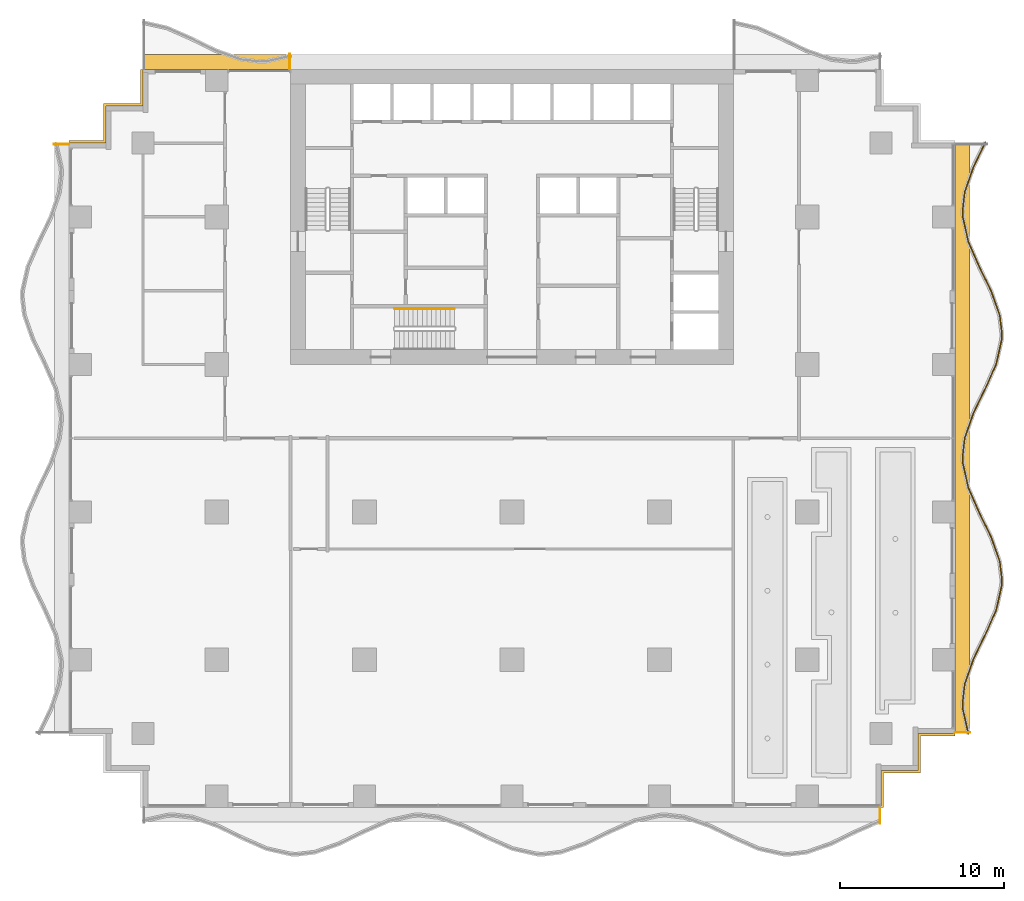
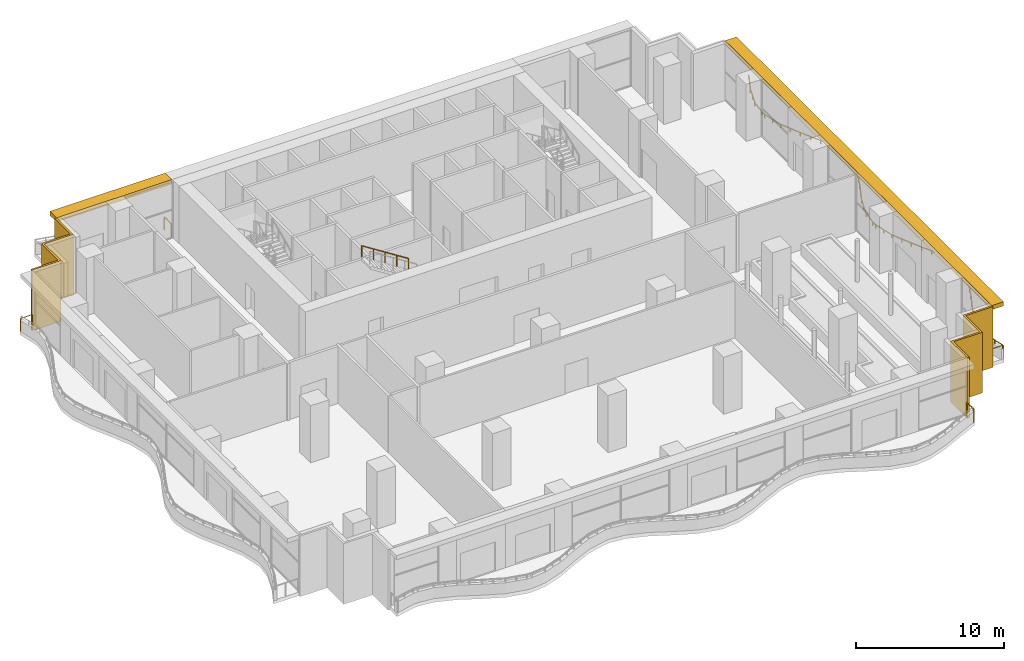
# One storey, part 14 of 18: 6 railings, 4 shading devices.
"""IFC4 building model written with IfcOpenShell, lengths in metres."""

from ifc_helpers import new_model, si_unit, direction, frame, origin, origin_2d, place, context, subcontext, project, spatial, polyline, rectangle, circle, outline, extrude, material, layer, layer_set, type_object, element, save


model = new_model("IFC4")

# Units and contexts
model_context = context("Model", 3, precision=1e-05, world=origin(), true_north=direction((0.0, 1.0)))
body_context = subcontext(model_context, "Body", "Model", "MODEL_VIEW")
ifc_project = project(units=[si_unit("LENGTHUNIT", "METRE"), si_unit("AREAUNIT", "SQUARE_METRE"), si_unit("VOLUMEUNIT", "CUBIC_METRE"), si_unit("PLANEANGLEUNIT", "RADIAN"), si_unit("MASSUNIT", "GRAM", prefix="KILO")], contexts=[model_context])

# Site, building, storey
site_placement = place(None, origin())
site = spatial("IfcSite", under=ifc_project, at=site_placement, CompositionType="ELEMENT")
building_placement = place(site_placement, origin())
building = spatial("IfcBuilding", under=site, at=building_placement, Name="Orbiselva Terraces", CompositionType="ELEMENT")
storey_placement = place(building_placement, frame((0.0, 0.0, 64.4)))
storey = spatial("IfcBuildingStorey", under=building, at=storey_placement, Name="L16", CompositionType="ELEMENT", Elevation=64.4)

# Railings
ifc_material_1 = material(Name="Stainless steel", Category="steel")
railing_type_1 = type_object("IfcRailingType", Name="CORE-HANDRAIL-900", PredefinedType="HANDRAIL", material=ifc_material_1)
railing_1_placement = place(storey_placement, frame((-3.51, 7.9, 2.678571)))
element("IfcRailing", 1, at=railing_1_placement, inside=storey, type_object=railing_type_1, Name="L16 S3 stair handrail 2", PredefinedType="HANDRAIL", context=body_context, shape_type="SweptSolid", body=[
    extrude(circle(Radius=0.024, at=origin_2d()), frame((0.0, 0.0, 0.876), z_axis=(-0.843129645223, 0.0, 0.537710332192), x_axis=(0.0, -1.0, 0.0)), (0.0, 0.0, 1.0), 4.317248),
    extrude(circle(Radius=0.021, at=origin_2d()), origin(), (0.0, 0.0, 1.0), 0.852),
    extrude(circle(Radius=0.021, at=origin_2d()), frame((-0.91, 0.0, 0.580357)), (0.0, 0.0, 1.0), 0.852),
    extrude(circle(Radius=0.021, at=origin_2d()), frame((-1.82, 0.0, 1.160715)), (0.0, 0.0, 1.0), 0.852),
    extrude(circle(Radius=0.021, at=origin_2d()), frame((-2.73, 0.0, 1.741072)), (0.0, 0.0, 1.0), 0.852),
    extrude(circle(Radius=0.021, at=origin_2d()), frame((-3.64, 0.0, 2.321429)), (0.0, 0.0, 1.0), 0.852),
])
ifc_material_2 = material(Name="Bonded two-ply safety glass balustrade, stainless steel posts", Category="steel")
railing_type_2 = type_object("IfcRailingType", Name="ENV-BALUSTRADE-1200", PredefinedType="BALUSTRADE", material=ifc_material_2)
railing_2_placement = place(storey_placement, frame((27.829507, -18.027377, 0.9)))
element("IfcRailing", 2, at=railing_2_placement, inside=storey, type_object=railing_type_2, Name="Balcony balustrade L16 E", PredefinedType="BALUSTRADE", context=body_context, shape_type="SweptSolid", body=[
    extrude(outline(polyline([(0.028868, 0.0), (0.014434, 0.025), (-0.014434, 0.025), (-0.028868, 0.0), (-0.014434, -0.025), (0.014434, -0.025), (0.028868, 0.0)])), frame((0.0, 0.0, 0.275), z_axis=(-0.219015484484, 0.97572138316, 0.0), x_axis=(-0.97572138316, -0.219015484484, 0.0)), (0.0, 0.0, 1.0), 1.548694),
    extrude(outline(polyline([(0.028868, 0.0), (0.014434, 0.025), (-0.014434, 0.025), (-0.028868, 0.0), (-0.014434, -0.025), (0.014434, -0.025), (0.028868, 0.0)])), frame((-0.339188, 1.511094, 0.275), z_axis=(-0.03936915532, 0.999224734286, 0.0), x_axis=(-0.999224734286, -0.03936915532, 0.0)), (0.0, 0.0, 1.0), 0.396376),
    extrude(outline(polyline([(0.028868, 0.0), (0.014434, 0.025), (-0.014434, 0.025), (-0.028868, 0.0), (-0.014434, -0.025), (0.014434, -0.025), (0.028868, 0.0)])), frame((-0.354793, 1.907163, 0.275), z_axis=(0.115482182324, 0.993309551734, 0.0), x_axis=(-0.993309551734, 0.115482182324, 0.0)), (0.0, 0.0, 1.0), 1.156135),
    extrude(outline(polyline([(0.028868, 0.0), (0.014434, 0.025), (-0.014434, 0.025), (-0.028868, 0.0), (-0.014434, -0.025), (0.014434, -0.025), (0.028868, 0.0)])), frame((-0.22128, 3.055563, 0.275), z_axis=(0.330024597479, 0.943972332783, 0.0), x_axis=(-0.943972332783, 0.330024597479, 0.0)), (0.0, 0.0, 1.0), 1.610253),
    extrude(outline(polyline([(0.028868, 0.0), (0.014434, 0.025), (-0.014434, 0.025), (-0.028868, 0.0), (-0.014434, -0.025), (0.014434, -0.025), (0.028868, 0.0)])), frame((0.310143, 4.575597, 0.275), z_axis=(0.438812048596, 0.898578870221, 0.0), x_axis=(-0.898578870221, 0.438812048596, 0.0)), (0.0, 0.0, 1.0), 1.674225),
    extrude(outline(polyline([(0.028868, 0.0), (0.014434, 0.025), (-0.014434, 0.025), (-0.028868, 0.0), (-0.014434, -0.025), (0.014434, -0.025), (0.028868, 0.0)])), frame((1.044813, 6.08002, 0.275), z_axis=(0.403151245402, 0.915133363686, 0.0), x_axis=(-0.915133363686, 0.403151245402, 0.0)), (0.0, 0.0, 1.0), 1.624475),
    extrude(outline(polyline([(0.028868, 0.0), (0.014434, 0.025), (-0.014434, 0.025), (-0.028868, 0.0), (-0.014434, -0.025), (0.014434, -0.025), (0.028868, 0.0)])), frame((1.699722, 7.566631, 0.275), z_axis=(0.219015740235, 0.975721325753, 0.0), x_axis=(-0.975721325753, 0.219015740235, 0.0)), (0.0, 0.0, 1.0), 1.513782),
    extrude(outline(polyline([(0.028868, 0.0), (0.014434, 0.025), (-0.014434, 0.025), (-0.028868, 0.0), (-0.014434, -0.025), (0.014434, -0.025), (0.028868, 0.0)])), frame((2.031264, 9.04366, 0.275), z_axis=(0.039364150694, 0.999224931454, 0.0), x_axis=(-0.999224931454, 0.039364150694, 0.0)), (0.0, 0.0, 1.0), 0.354206),
    extrude(outline(polyline([(0.028868, 0.0), (0.014434, 0.025), (-0.014434, 0.025), (-0.028868, 0.0), (-0.014434, -0.025), (0.014434, -0.025), (0.028868, 0.0)])), frame((2.045207, 9.397591, 0.275), z_axis=(-0.115481264762, 0.993309658409, 0.0), x_axis=(-0.993309658409, -0.115481264762, 0.0)), (0.0, 0.0, 1.0), 1.10902),
    extrude(outline(polyline([(0.028868, 0.0), (0.014434, 0.025), (-0.014434, 0.025), (-0.028868, 0.0), (-0.014434, -0.025), (0.014434, -0.025), (0.028868, 0.0)])), frame((1.917136, 10.499191, 0.275), z_axis=(-0.330024754707, 0.943972277814, 0.0), x_axis=(-0.943972277814, -0.330024754707, 0.0)), (0.0, 0.0, 1.0), 1.567807),
    extrude(outline(polyline([(0.028868, 0.0), (0.014434, 0.025), (-0.014434, 0.025), (-0.028868, 0.0), (-0.014434, -0.025), (0.014434, -0.025), (0.028868, 0.0)])), frame((1.399721, 11.979157, 0.275), z_axis=(-0.438811978768, 0.89857890432, 0.0), x_axis=(-0.89857890432, -0.438811978768, 0.0)), (0.0, 0.0, 1.0), 1.66438),
    extrude(outline(polyline([(0.028868, 0.0), (0.014434, 0.025), (-0.014434, 0.025), (-0.028868, 0.0), (-0.014434, -0.025), (0.014434, -0.025), (0.028868, 0.0)])), frame((0.669371, 13.474734, 0.275), z_axis=(-0.403150874148, 0.915133527237, 0.0), x_axis=(-0.915133527237, -0.403150874148, 0.0)), (0.0, 0.0, 1.0), 1.653736),
    extrude(outline(polyline([(0.028868, 0.0), (0.014434, 0.025), (-0.014434, 0.025), (-0.028868, 0.0), (-0.014434, -0.025), (0.014434, -0.025), (0.028868, 0.0)])), frame((0.002666, 14.988123, 0.275), z_axis=(-0.219015500924, 0.97572137947, 0.0), x_axis=(-0.97572137947, -0.219015500924, 0.0)), (0.0, 0.0, 1.0), 1.560867),
    extrude(outline(polyline([(0.028868, 0.0), (0.014434, 0.025), (-0.014434, 0.025), (-0.028868, 0.0), (-0.014434, -0.025), (0.014434, -0.025), (0.028868, 0.0)])), frame((-0.339188, 16.511094, 0.275), z_axis=(-0.03936915532, 0.999224734286, 0.0), x_axis=(-0.999224734286, -0.03936915532, 0.0)), (0.0, 0.0, 1.0), 0.396376),
    extrude(outline(polyline([(0.028868, 0.0), (0.014434, 0.025), (-0.014434, 0.025), (-0.028868, 0.0), (-0.014434, -0.025), (0.014434, -0.025), (0.028868, 0.0)])), frame((-0.354793, 16.907163, 0.275), z_axis=(0.115482182324, 0.993309551734, 0.0), x_axis=(-0.993309551734, 0.115482182324, 0.0)), (0.0, 0.0, 1.0), 1.156135),
    extrude(outline(polyline([(0.028868, 0.0), (0.014434, 0.025), (-0.014434, 0.025), (-0.028868, 0.0), (-0.014434, -0.025), (0.014434, -0.025), (0.028868, 0.0)])), frame((-0.22128, 18.055563, 0.275), z_axis=(0.330024597479, 0.943972332783, 0.0), x_axis=(-0.943972332783, 0.330024597479, 0.0)), (0.0, 0.0, 1.0), 1.610253),
    extrude(outline(polyline([(0.028868, 0.0), (0.014434, 0.025), (-0.014434, 0.025), (-0.028868, 0.0), (-0.014434, -0.025), (0.014434, -0.025), (0.028868, 0.0)])), frame((0.310143, 19.575597, 0.275), z_axis=(0.438812048596, 0.898578870221, 0.0), x_axis=(-0.898578870221, 0.438812048596, 0.0)), (0.0, 0.0, 1.0), 1.674225),
    extrude(outline(polyline([(0.028868, 0.0), (0.014434, 0.025), (-0.014434, 0.025), (-0.028868, 0.0), (-0.014434, -0.025), (0.014434, -0.025), (0.028868, 0.0)])), frame((1.044813, 21.08002, 0.275), z_axis=(0.403151245402, 0.915133363686, 0.0), x_axis=(-0.915133363686, 0.403151245402, 0.0)), (0.0, 0.0, 1.0), 1.624475),
    extrude(outline(polyline([(0.028868, 0.0), (0.014434, 0.025), (-0.014434, 0.025), (-0.028868, 0.0), (-0.014434, -0.025), (0.014434, -0.025), (0.028868, 0.0)])), frame((1.699722, 22.566631, 0.275), z_axis=(0.219015740235, 0.975721325753, 0.0), x_axis=(-0.975721325753, 0.219015740235, 0.0)), (0.0, 0.0, 1.0), 1.513782),
    extrude(outline(polyline([(0.028868, 0.0), (0.014434, 0.025), (-0.014434, 0.025), (-0.028868, 0.0), (-0.014434, -0.025), (0.014434, -0.025), (0.028868, 0.0)])), frame((2.031264, 24.04366, 0.275), z_axis=(0.039364150694, 0.999224931454, 0.0), x_axis=(-0.999224931454, 0.039364150694, 0.0)), (0.0, 0.0, 1.0), 0.354206),
    extrude(outline(polyline([(0.028868, 0.0), (0.014434, 0.025), (-0.014434, 0.025), (-0.028868, 0.0), (-0.014434, -0.025), (0.014434, -0.025), (0.028868, 0.0)])), frame((2.045207, 24.397591, 0.275), z_axis=(-0.115481264762, 0.993309658409, 0.0), x_axis=(-0.993309658409, -0.115481264762, 0.0)), (0.0, 0.0, 1.0), 1.10902),
    extrude(outline(polyline([(0.028868, 0.0), (0.014434, 0.025), (-0.014434, 0.025), (-0.028868, 0.0), (-0.014434, -0.025), (0.014434, -0.025), (0.028868, 0.0)])), frame((1.917136, 25.499191, 0.275), z_axis=(-0.330024754707, 0.943972277814, 0.0), x_axis=(-0.943972277814, -0.330024754707, 0.0)), (0.0, 0.0, 1.0), 1.567807),
    extrude(outline(polyline([(0.028868, 0.0), (0.014434, 0.025), (-0.014434, 0.025), (-0.028868, 0.0), (-0.014434, -0.025), (0.014434, -0.025), (0.028868, 0.0)])), frame((1.399721, 26.979157, 0.275), z_axis=(-0.438811978768, 0.89857890432, 0.0), x_axis=(-0.89857890432, -0.438811978768, 0.0)), (0.0, 0.0, 1.0), 1.66438),
    extrude(outline(polyline([(0.028868, 0.0), (0.014434, 0.025), (-0.014434, 0.025), (-0.028868, 0.0), (-0.014434, -0.025), (0.014434, -0.025), (0.028868, 0.0)])), frame((0.669371, 28.474734, 0.275), z_axis=(-0.403150874148, 0.915133527237, 0.0), x_axis=(-0.915133527237, -0.403150874148, 0.0)), (0.0, 0.0, 1.0), 1.653736),
    extrude(outline(polyline([(0.028868, 0.0), (0.014434, 0.025), (-0.014434, 0.025), (-0.028868, 0.0), (-0.014434, -0.025), (0.014434, -0.025), (0.028868, 0.0)])), frame((0.002666, 29.988123, 0.275), z_axis=(-0.219015500924, 0.97572137947, 0.0), x_axis=(-0.97572137947, -0.219015500924, 0.0)), (0.0, 0.0, 1.0), 1.560867),
    extrude(outline(polyline([(0.028868, 0.0), (0.014434, 0.025), (-0.014434, 0.025), (-0.028868, 0.0), (-0.014434, -0.025), (0.014434, -0.025), (0.028868, 0.0)])), frame((-0.339188, 31.511094, 0.275), z_axis=(-0.03936915532, 0.999224734286, 0.0), x_axis=(-0.999224734286, -0.03936915532, 0.0)), (0.0, 0.0, 1.0), 0.396376),
    extrude(outline(polyline([(0.028868, 0.0), (0.014434, 0.025), (-0.014434, 0.025), (-0.028868, 0.0), (-0.014434, -0.025), (0.014434, -0.025), (0.028868, 0.0)])), frame((-0.354793, 31.907163, 0.275), z_axis=(0.115482182324, 0.993309551734, 0.0), x_axis=(-0.993309551734, 0.115482182324, 0.0)), (0.0, 0.0, 1.0), 1.156135),
    extrude(outline(polyline([(0.028868, 0.0), (0.014434, 0.025), (-0.014434, 0.025), (-0.028868, 0.0), (-0.014434, -0.025), (0.014434, -0.025), (0.028868, 0.0)])), frame((-0.22128, 33.055563, 0.275), z_axis=(0.330024597479, 0.943972332783, 0.0), x_axis=(-0.943972332783, 0.330024597479, 0.0)), (0.0, 0.0, 1.0), 1.610253),
    extrude(outline(polyline([(0.028868, 0.0), (0.014434, 0.025), (-0.014434, 0.025), (-0.028868, 0.0), (-0.014434, -0.025), (0.014434, -0.025), (0.028868, 0.0)])), frame((0.310143, 34.575597, 0.275), z_axis=(0.43881217228, 0.898578809821, 0.0), x_axis=(-0.898578809821, 0.43881217228, 0.0)), (0.0, 0.0, 1.0), 1.676683),
    extrude(rectangle(XDim=0.05, YDim=0.05, at=origin_2d()), origin(), (0.0, 0.0, 1.0), 0.25),
    extrude(rectangle(XDim=0.05, YDim=0.05, at=origin_2d()), frame((-0.169594, 0.755547, 0.0)), (0.0, 0.0, 1.0), 0.25),
    extrude(rectangle(XDim=0.05, YDim=0.05, at=origin_2d()), frame((-0.339188, 1.511094, 0.0)), (0.0, 0.0, 1.0), 0.25),
    extrude(rectangle(XDim=0.05, YDim=0.05, at=origin_2d()), frame((-0.354793, 1.907163, 0.0)), (0.0, 0.0, 1.0), 0.25),
    extrude(rectangle(XDim=0.05, YDim=0.05, at=origin_2d()), frame((-0.22128, 3.055563, 0.0)), (0.0, 0.0, 1.0), 0.25),
    extrude(rectangle(XDim=0.05, YDim=0.05, at=origin_2d()), frame((0.044431, 3.81558, 0.0)), (0.0, 0.0, 1.0), 0.25),
    extrude(rectangle(XDim=0.05, YDim=0.05, at=origin_2d()), frame((0.310143, 4.575597, 0.0)), (0.0, 0.0, 1.0), 0.25),
    extrude(rectangle(XDim=0.05, YDim=0.05, at=origin_2d()), frame((0.677478, 5.327809, 0.0)), (0.0, 0.0, 1.0), 0.25),
    extrude(rectangle(XDim=0.05, YDim=0.05, at=origin_2d()), frame((1.044813, 6.08002, 0.0)), (0.0, 0.0, 1.0), 0.25),
    extrude(rectangle(XDim=0.05, YDim=0.05, at=origin_2d()), frame((1.372268, 6.823326, 0.0)), (0.0, 0.0, 1.0), 0.25),
    extrude(rectangle(XDim=0.05, YDim=0.05, at=origin_2d()), frame((1.699722, 7.566631, 0.0)), (0.0, 0.0, 1.0), 0.25),
    extrude(rectangle(XDim=0.05, YDim=0.05, at=origin_2d()), frame((1.865493, 8.305146, 0.0)), (0.0, 0.0, 1.0), 0.25),
    extrude(rectangle(XDim=0.05, YDim=0.05, at=origin_2d()), frame((2.031264, 9.04366, 0.0)), (0.0, 0.0, 1.0), 0.25),
    extrude(rectangle(XDim=0.05, YDim=0.05, at=origin_2d()), frame((2.045207, 9.397591, 0.0)), (0.0, 0.0, 1.0), 0.25),
    extrude(rectangle(XDim=0.05, YDim=0.05, at=origin_2d()), frame((1.917136, 10.499191, 0.0)), (0.0, 0.0, 1.0), 0.25),
    extrude(rectangle(XDim=0.05, YDim=0.05, at=origin_2d()), frame((1.658428, 11.239174, 0.0)), (0.0, 0.0, 1.0), 0.25),
    extrude(rectangle(XDim=0.05, YDim=0.05, at=origin_2d()), frame((1.399721, 11.979157, 0.0)), (0.0, 0.0, 1.0), 0.25),
    extrude(rectangle(XDim=0.05, YDim=0.05, at=origin_2d()), frame((1.034546, 12.726946, 0.0)), (0.0, 0.0, 1.0), 0.25),
    extrude(rectangle(XDim=0.05, YDim=0.05, at=origin_2d()), frame((0.669371, 13.474734, 0.0)), (0.0, 0.0, 1.0), 0.25),
    extrude(rectangle(XDim=0.05, YDim=0.05, at=origin_2d()), frame((0.336019, 14.231429, 0.0)), (0.0, 0.0, 1.0), 0.25),
    extrude(rectangle(XDim=0.05, YDim=0.05, at=origin_2d()), frame((0.002666, 14.988123, 0.0)), (0.0, 0.0, 1.0), 0.25),
    extrude(rectangle(XDim=0.05, YDim=0.05, at=origin_2d()), frame((-0.168261, 15.749608, 0.0)), (0.0, 0.0, 1.0), 0.25),
    extrude(rectangle(XDim=0.05, YDim=0.05, at=origin_2d()), frame((-0.339188, 16.511094, 0.0)), (0.0, 0.0, 1.0), 0.25),
    extrude(rectangle(XDim=0.05, YDim=0.05, at=origin_2d()), frame((-0.354793, 16.907163, 0.0)), (0.0, 0.0, 1.0), 0.25),
    extrude(rectangle(XDim=0.05, YDim=0.05, at=origin_2d()), frame((-0.22128, 18.055563, 0.0)), (0.0, 0.0, 1.0), 0.25),
    extrude(rectangle(XDim=0.05, YDim=0.05, at=origin_2d()), frame((0.044431, 18.81558, 0.0)), (0.0, 0.0, 1.0), 0.25),
    extrude(rectangle(XDim=0.05, YDim=0.05, at=origin_2d()), frame((0.310143, 19.575597, 0.0)), (0.0, 0.0, 1.0), 0.25),
    extrude(rectangle(XDim=0.05, YDim=0.05, at=origin_2d()), frame((0.677478, 20.327809, 0.0)), (0.0, 0.0, 1.0), 0.25),
    extrude(rectangle(XDim=0.05, YDim=0.05, at=origin_2d()), frame((1.044813, 21.08002, 0.0)), (0.0, 0.0, 1.0), 0.25),
    extrude(rectangle(XDim=0.05, YDim=0.05, at=origin_2d()), frame((1.372268, 21.823326, 0.0)), (0.0, 0.0, 1.0), 0.25),
    extrude(rectangle(XDim=0.05, YDim=0.05, at=origin_2d()), frame((1.699722, 22.566631, 0.0)), (0.0, 0.0, 1.0), 0.25),
    extrude(rectangle(XDim=0.05, YDim=0.05, at=origin_2d()), frame((1.865493, 23.305146, 0.0)), (0.0, 0.0, 1.0), 0.25),
    extrude(rectangle(XDim=0.05, YDim=0.05, at=origin_2d()), frame((2.031264, 24.04366, 0.0)), (0.0, 0.0, 1.0), 0.25),
    extrude(rectangle(XDim=0.05, YDim=0.05, at=origin_2d()), frame((2.045207, 24.397591, 0.0)), (0.0, 0.0, 1.0), 0.25),
    extrude(rectangle(XDim=0.05, YDim=0.05, at=origin_2d()), frame((1.917136, 25.499191, 0.0)), (0.0, 0.0, 1.0), 0.25),
    extrude(rectangle(XDim=0.05, YDim=0.05, at=origin_2d()), frame((1.658428, 26.239174, 0.0)), (0.0, 0.0, 1.0), 0.25),
    extrude(rectangle(XDim=0.05, YDim=0.05, at=origin_2d()), frame((1.399721, 26.979157, 0.0)), (0.0, 0.0, 1.0), 0.25),
    extrude(rectangle(XDim=0.05, YDim=0.05, at=origin_2d()), frame((1.034546, 27.726946, 0.0)), (0.0, 0.0, 1.0), 0.25),
    extrude(rectangle(XDim=0.05, YDim=0.05, at=origin_2d()), frame((0.669371, 28.474734, 0.0)), (0.0, 0.0, 1.0), 0.25),
    extrude(rectangle(XDim=0.05, YDim=0.05, at=origin_2d()), frame((0.336019, 29.231428, 0.0)), (0.0, 0.0, 1.0), 0.25),
    extrude(rectangle(XDim=0.05, YDim=0.05, at=origin_2d()), frame((0.002666, 29.988123, 0.0)), (0.0, 0.0, 1.0), 0.25),
    extrude(rectangle(XDim=0.05, YDim=0.05, at=origin_2d()), frame((-0.168261, 30.749608, 0.0)), (0.0, 0.0, 1.0), 0.25),
    extrude(rectangle(XDim=0.05, YDim=0.05, at=origin_2d()), frame((-0.339188, 31.511094, 0.0)), (0.0, 0.0, 1.0), 0.25),
    extrude(rectangle(XDim=0.05, YDim=0.05, at=origin_2d()), frame((-0.354793, 31.907163, 0.0)), (0.0, 0.0, 1.0), 0.25),
    extrude(rectangle(XDim=0.05, YDim=0.05, at=origin_2d()), frame((-0.22128, 33.055563, 0.0)), (0.0, 0.0, 1.0), 0.25),
    extrude(rectangle(XDim=0.05, YDim=0.05, at=origin_2d()), frame((0.044431, 33.81558, 0.0)), (0.0, 0.0, 1.0), 0.25),
    extrude(rectangle(XDim=0.05, YDim=0.05, at=origin_2d()), frame((0.310143, 34.575597, 0.0)), (0.0, 0.0, 1.0), 0.25),
    extrude(rectangle(XDim=0.05, YDim=0.05, at=origin_2d()), frame((0.678018, 35.328913, 0.0)), (0.0, 0.0, 1.0), 0.25),
    extrude(rectangle(XDim=0.05, YDim=0.05, at=origin_2d()), frame((1.045892, 36.082229, 0.0)), (0.0, 0.0, 1.0), 0.25),
])
ifc_material_3 = material(Name="Stainless steel rail and posts", Category="steel")
railing_type_3 = type_object("IfcRailingType", Name="ENV-GUARD-1105", PredefinedType="BALUSTRADE", material=ifc_material_3)
railing_3_placement = place(storey_placement, frame((22.44, -23.473063, 0.0)))
element("IfcRailing", 3, at=railing_3_placement, inside=storey, type_object=railing_type_3, Name="Balcony end guard L16 S", PredefinedType="BALUSTRADE", context=body_context, shape_type="SweptSolid", body=[
    extrude(outline(polyline([(0.028868, 0.0), (0.014434, 0.025), (-0.014434, 0.025), (-0.028868, 0.0), (-0.014434, -0.025), (0.014434, -0.025), (0.028868, 0.0)])), frame((0.0, 0.0, 1.08), z_axis=(0.0, 1.0, 0.0), x_axis=(-1.0, 0.0, 0.0)), (0.0, 0.0, 1.0), 0.948063),
    extrude(rectangle(XDim=0.05, YDim=0.05, at=origin_2d()), origin(), (0.0, 0.0, 1.0), 1.055),
    extrude(rectangle(XDim=0.05, YDim=0.05, at=origin_2d()), frame((0.0, 0.948063, 0.0)), (0.0, 0.0, 1.0), 1.055),
])
railing_4_placement = place(storey_placement, frame((27.930416, -17.94, 0.0)))
element("IfcRailing", 4, at=railing_4_placement, inside=storey, type_object=railing_type_3, Name="Balcony end guard L16 E", PredefinedType="BALUSTRADE", context=body_context, shape_type="SweptSolid", body=[
    extrude(outline(polyline([(0.028868, 0.0), (0.014434, 0.025), (-0.014434, 0.025), (-0.028868, 0.0), (-0.014434, -0.025), (0.014434, -0.025), (0.028868, 0.0)])), frame((0.0, 0.0, 1.08), z_axis=(-1.0, 0.0, 0.0), x_axis=(0.0, -1.0, 0.0)), (0.0, 0.0, 1.0), 0.905416),
    extrude(rectangle(XDim=0.05, YDim=0.05, at=origin_2d()), origin(), (0.0, 0.0, 1.0), 1.055),
    extrude(rectangle(XDim=0.05, YDim=0.05, at=origin_2d()), frame((-0.905416, 0.0, 0.0)), (0.0, 0.0, 1.0), 1.055),
])
railing_5_placement = place(storey_placement, frame((-13.56, 23.430416, 0.0)))
element("IfcRailing", 5, at=railing_5_placement, inside=storey, type_object=railing_type_3, Name="Balcony end guard L16 NW", PredefinedType="BALUSTRADE", context=body_context, shape_type="SweptSolid", body=[
    extrude(outline(polyline([(0.028868, 0.0), (0.014434, 0.025), (-0.014434, 0.025), (-0.028868, 0.0), (-0.014434, -0.025), (0.014434, -0.025), (0.028868, 0.0)])), frame((0.0, 0.0, 1.08), z_axis=(0.0, -1.0, 0.0), x_axis=(1.0, 0.0, 0.0)), (0.0, 0.0, 1.0), 0.905416),
    extrude(rectangle(XDim=0.05, YDim=0.05, at=origin_2d()), origin(), (0.0, 0.0, 1.0), 1.055),
    extrude(rectangle(XDim=0.05, YDim=0.05, at=origin_2d()), frame((0.0, -0.905416, 0.0)), (0.0, 0.0, 1.0), 1.055),
])
railing_6_placement = place(storey_placement, frame((-27.930416, 17.94, 0.0)))
element("IfcRailing", 6, at=railing_6_placement, inside=storey, type_object=railing_type_3, Name="Balcony end guard L16 W", PredefinedType="BALUSTRADE", context=body_context, shape_type="SweptSolid", body=[
    extrude(outline(polyline([(0.028868, 0.0), (0.014434, 0.025), (-0.014434, 0.025), (-0.028868, 0.0), (-0.014434, -0.025), (0.014434, -0.025), (0.028868, 0.0)])), frame((0.0, 0.0, 1.08), z_axis=(1.0, 0.0, 0.0), x_axis=(0.0, 1.0, 0.0)), (0.0, 0.0, 1.0), 0.905416),
    extrude(rectangle(XDim=0.05, YDim=0.05, at=origin_2d()), origin(), (0.0, 0.0, 1.0), 1.055),
    extrude(rectangle(XDim=0.05, YDim=0.05, at=origin_2d()), frame((0.905416, 0.0, 0.0)), (0.0, 0.0, 1.0), 1.055),
])

# Shading devices
ifc_material_4 = material(Name="Terracotta louvre screen", Category="masonry")
ifc_layer_1 = layer(ifc_material_4, 0.15)
ifc_layer_set_1 = layer_set([ifc_layer_1], Name="Terracotta louvre screen")
shading_device_type_1 = type_object("IfcShadingDeviceType", Name="ENV-SCREEN-150", PredefinedType="USERDEFINED", material=ifc_layer_set_1)
shading_device_1_placement = place(storey_placement, frame((0.0, 0.0, -0.3)))
element("IfcShadingDevice", 7, at=shading_device_1_placement, inside=storey, type_object=shading_device_type_1, Name="Louvre screen L16 NW", ObjectType="SCREEN", PredefinedType="USERDEFINED", context=body_context, shape_type="SweptSolid", body=[
    extrude(outline(polyline([(-22.65, 22.5), (-22.65, 20.4), (-24.9, 20.4), (-24.9, 18.15), (-27.0, 18.15), (-27.0, 18.0), (-24.75, 18.0), (-24.75, 20.25), (-22.5, 20.25), (-22.5, 22.5), (-22.65, 22.5)])), origin(), (0.0, 0.0, 1.0), 5.0),
])
shading_device_2_placement = place(storey_placement, frame((0.0, 0.0, -0.3)))
element("IfcShadingDevice", 8, at=shading_device_2_placement, inside=storey, type_object=shading_device_type_1, Name="Louvre screen L16 SE", ObjectType="SCREEN", PredefinedType="USERDEFINED", context=body_context, shape_type="SweptSolid", body=[
    extrude(outline(polyline([(22.65, -22.5), (22.65, -20.4), (24.9, -20.4), (24.9, -18.15), (27.0, -18.15), (27.0, -18.0), (24.75, -18.0), (24.75, -20.25), (22.5, -20.25), (22.5, -22.5), (22.65, -22.5)])), origin(), (0.0, 0.0, 1.0), 5.0),
])
ifc_material_5 = material(Name="Terracotta baguette sunshade", Category="masonry")
ifc_layer_2 = layer(ifc_material_5, 0.35)
ifc_layer_set_2 = layer_set([ifc_layer_2], Name="Terracotta baguette sunshade")
shading_device_type_2 = type_object("IfcShadingDeviceType", Name="ENV-SUNSHADE-900x350", PredefinedType="USERDEFINED", material=ifc_layer_set_2)
shading_device_3_placement = place(storey_placement, frame((0.0, 0.0, 4.35)))
element("IfcShadingDevice", 9, at=shading_device_3_placement, inside=storey, type_object=shading_device_type_2, Name="Sunshade band L16 E", ObjectType="SUNSHADE", PredefinedType="USERDEFINED", context=body_context, shape_type="SweptSolid", body=[
    extrude(outline(polyline([(27.9, -18.0), (27.9, 18.0), (27.0, 18.0), (27.0, -18.0), (27.9, -18.0)])), origin(), (0.0, 0.0, 1.0), 0.35),
])
shading_device_4_placement = place(storey_placement, frame((0.0, 0.0, 4.35)))
element("IfcShadingDevice", 10, at=shading_device_4_placement, inside=storey, type_object=shading_device_type_2, Name="Sunshade band L16 NW", ObjectType="SUNSHADE", PredefinedType="USERDEFINED", context=body_context, shape_type="SweptSolid", body=[
    extrude(outline(polyline([(-13.5, 23.4), (-22.5, 23.4), (-22.5, 22.5), (-13.5, 22.5), (-13.5, 23.4)])), origin(), (0.0, 0.0, 1.0), 0.35),
])

save(model, "model.ifc")
